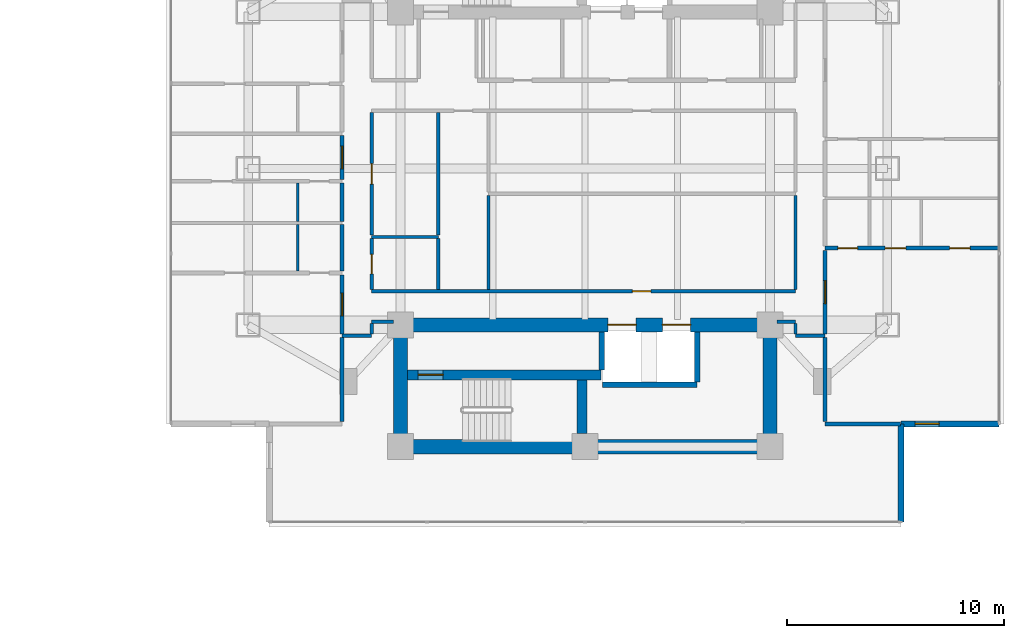
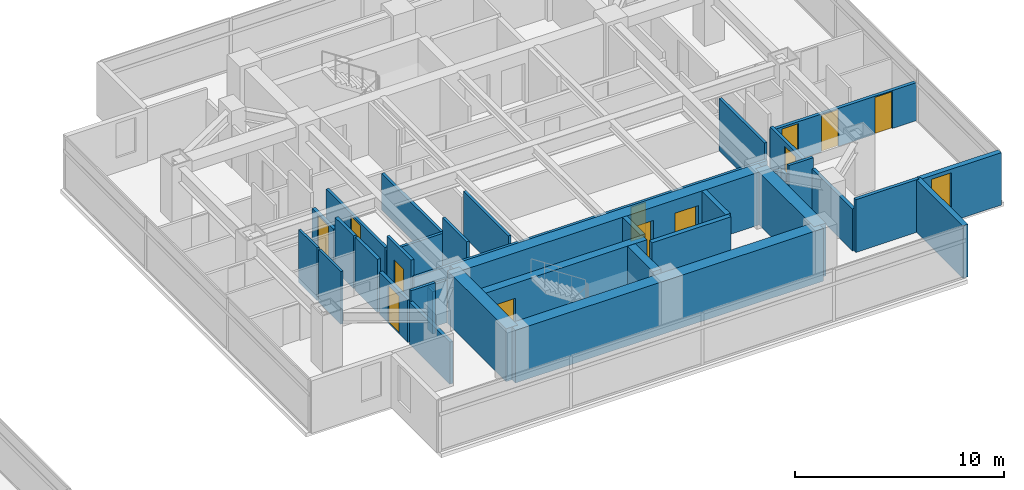
# One storey, part 18 of 26: 36 walls, 12 doors, 1 window, 13 openings.
"""IFC4 building model written with IfcOpenShell, lengths in metres."""

from ifc_helpers import new_model, si_unit, direction, frame, frame_2d, origin, place, context, subcontext, project, spatial, rectangle, extrude, material, layer, layer_set, type_object, element, fill, save


model = new_model("IFC4")

# Units and contexts
model_context = context("Model", 3, precision=1e-05, world=origin(), true_north=direction((0.0, 1.0)))
body_context = subcontext(model_context, "Body", "Model", "MODEL_VIEW")
ifc_project = project(units=[si_unit("LENGTHUNIT", "METRE"), si_unit("AREAUNIT", "SQUARE_METRE"), si_unit("VOLUMEUNIT", "CUBIC_METRE"), si_unit("PLANEANGLEUNIT", "RADIAN"), si_unit("MASSUNIT", "GRAM", prefix="KILO")], contexts=[model_context])

# Site, building, storey
site_placement = place(None, origin())
site = spatial("IfcSite", under=ifc_project, at=site_placement, CompositionType="ELEMENT")
building_placement = place(site_placement, origin())
building = spatial("IfcBuilding", under=site, at=building_placement, Name="Mirazonda Arch Towers", CompositionType="ELEMENT")
storey_placement = place(building_placement, frame((0.0, 0.0, 114.800048828125)))
storey = spatial("IfcBuildingStorey", under=building, at=storey_placement, Name="L32", CompositionType="ELEMENT", Elevation=114.800048828125)

# Wall, opening, door
ifc_material_1 = material(Name="Concrete C50/60", Category="concrete")
ifc_layer_1 = layer(ifc_material_1, 0.449951171875, Name="WALL-CORE-450")
ifc_layer_set_1 = layer_set([ifc_layer_1], Name="Concrete C50/60")
wall_type_1 = type_object("IfcWallType", Name="WALL-CORE-450", PredefinedType="SHEAR", material=ifc_layer_set_1)
wall_1_placement = place(storey_placement, frame((68.320068359375, 18.5, 0.0), z_axis=(0.0, 0.0, 1.0), x_axis=(1.0, 0.0, 0.0)))
wall_1 = element("IfcWall", 1, at=wall_1_placement, inside=storey, type_object=wall_type_1, Name="L32 Stair Core Shear Wall 014", PredefinedType="SHEAR", context=body_context, shape_type="SweptSolid", body=[
    extrude(rectangle(XDim=8.89990234375, YDim=0.449951171875, at=frame_2d((4.449951171875, 0.0))), origin(), (0.0, 0.0, 1.0), 3.079833984375),
])
opening_1_placement = place(wall_1_placement, frame((0.4951171875, 0.0, 0.0)))
opening_1 = element("IfcOpeningElement", 2, at=opening_1_placement, cuts=wall_1, Name="Opening DR-135", PredefinedType="OPENING", context=body_context, shape_type="SweptSolid", body=[
    extrude(rectangle(XDim=1.14990234375, YDim=2.199951171875, at=frame_2d((0.574951171875, 1.10009765625))), frame((0.0, 0.23486328125, 0.0), z_axis=(0.0, -1.0, 0.0), x_axis=(1.0, 0.0, 0.0)), (0.0, 0.0, 1.0), 0.469970703125),
])
ifc_material_2 = material(Name="Architectural Brushed Steel S355", Category="steel")
door_type_1 = type_object("IfcDoorType", Name="DOOR-STAIR-FD90-1150", OperationType="NOTDEFINED", PredefinedType="DOOR", material=ifc_material_2)
door_1_placement = place(opening_1_placement, origin())
door_1 = element("IfcDoor", 3, at=door_1_placement, inside=storey, type_object=door_type_1, Name="L32 East Protected Stair South Door", OperationType="SINGLE_SWING_LEFT", OverallHeight=2.199951171875, OverallWidth=1.14990234375, PredefinedType="DOOR", context=body_context, shape_type="SweptSolid", body=[
    extrude(rectangle(XDim=1.14990234375, YDim=2.199951171875, at=frame_2d((0.574951171875, 1.10009765625))), frame((0.0, 0.02490234375, 0.0), z_axis=(0.0, -1.0, 0.0), x_axis=(1.0, 0.0, 0.0)), (0.0, 0.0, 1.0), 0.050048828125),
])
fill(opening_1, door_1)

# Walls
wall_2_placement = place(storey_placement, frame((76.360107421875, 15.81494140625, 0.0), z_axis=(0.0, 0.0, 1.0), x_axis=(0.0, 1.0, 0.0)))
element("IfcWall", 4, at=wall_2_placement, inside=storey, type_object=wall_type_1, Name="L32 Stair Core Shear Wall 145", PredefinedType="SHEAR", context=body_context, shape_type="SweptSolid", body=[
    extrude(rectangle(XDim=2.449951171875, YDim=0.449951171875, at=frame_2d((1.22509765625, 0.0))), origin(), (0.0, 0.0, 1.0), 3.079833984375),
])
ifc_material_3 = material(Name="Concrete C60/75", Category="concrete")
ifc_layer_2 = layer(ifc_material_3, 0.64990234375, Name="WALL-CORE-650")
ifc_layer_set_2 = layer_set([ifc_layer_2], Name="Concrete C60/75")
wall_type_2 = type_object("IfcWallType", Name="WALL-CORE-650", PredefinedType="SHEAR", material=ifc_layer_set_2)
wall_3_placement = place(storey_placement, frame((68.0, 15.199951171875, 0.0), z_axis=(0.0, 0.0, 1.0), x_axis=(1.0, 0.0, 0.0)))
element("IfcWall", 5, at=wall_3_placement, inside=storey, type_object=wall_type_2, Name="L32 T2S-S Core Shear Wall", PredefinedType="SHEAR", context=body_context, shape_type="SweptSolid", body=[
    extrude(rectangle(XDim=17.0, YDim=0.64990234375, at=frame_2d((8.5, 0.0))), origin(), (0.0, 0.0, 1.0), 3.079833984375),
])
for number, where, z_axis, x_axis, name in (
    (6, (68.0, 15.199951171875, 0.0), (0.0, 0.0, 1.0), (0.0, 1.0, 0.0), "L32 T2S-W Core Shear Wall"),
    (7, (85.0, 15.199951171875, 0.0), (0.0, 0.0, 1.0), (0.0, 1.0, 0.0), "L32 T2S-E Core Shear Wall"),
):
    element("IfcWall", number, at=place(storey_placement, frame(where, z_axis=z_axis, x_axis=x_axis)), inside=storey, type_object=wall_type_2, Name=name, PredefinedType="SHEAR", context=body_context, shape_type="SweptSolid", body=[
        extrude(rectangle(XDim=5.60009765625, YDim=0.64990234375, at=frame_2d((2.800048828125, 0.0))), origin(), (0.0, 0.0, 1.0), 3.079833984375),
    ])

# Wall, openings, doors
wall_4_placement = place(storey_placement, frame((68.0, 20.800048828125, 0.0), z_axis=(0.0, 0.0, 1.0), x_axis=(1.0, 0.0, 0.0)))
wall_4 = element("IfcWall", 8, at=wall_4_placement, inside=storey, type_object=wall_type_2, Name="L32 T2S-N Core Shear Wall", PredefinedType="SHEAR", context=body_context, shape_type="SweptSolid", body=[
    extrude(rectangle(XDim=17.0, YDim=0.64990234375, at=frame_2d((8.5, 0.0))), origin(), (0.0, 0.0, 1.0), 3.079833984375),
])
opening_2_placement = place(wall_4_placement, frame((9.550048828125, 0.0, 0.0)))
opening_2 = element("IfcOpeningElement", 9, at=opening_2_placement, cuts=wall_4, Name="Opening LD-111", PredefinedType="OPENING", context=body_context, shape_type="SweptSolid", body=[
    extrude(rectangle(XDim=1.300048828125, YDim=2.300048828125, at=frame_2d((0.64990234375, 1.14990234375))), frame((0.0, 0.3349609375, 0.0), z_axis=(0.0, -1.0, 0.0), x_axis=(1.0, 0.0, 0.0)), (0.0, 0.0, 1.0), 0.669921875),
])
opening_3_placement = place(wall_4_placement, frame((12.050048828125, 0.0, 0.0)))
opening_3 = element("IfcOpeningElement", 10, at=opening_3_placement, cuts=wall_4, Name="Opening LD-111", PredefinedType="OPENING", context=body_context, shape_type="SweptSolid", body=[
    extrude(rectangle(XDim=1.300048828125, YDim=2.300048828125, at=frame_2d((0.64990234375, 1.14990234375))), frame((0.0, 0.3349609375, 0.0), z_axis=(0.0, -1.0, 0.0), x_axis=(1.0, 0.0, 0.0)), (0.0, 0.0, 1.0), 0.669921875),
])
door_type_2 = type_object("IfcDoorType", Name="DOOR-LIFT-LAND-1300", OperationType="NOTDEFINED", PredefinedType="DOOR", material=ifc_material_2)
door_2_placement = place(opening_2_placement, origin())
door_2 = element("IfcDoor", 11, at=door_2_placement, inside=storey, type_object=door_type_2, Name="L32 Lift Landing Sliding Door PL-T2H1", OperationType="DOUBLE_DOOR_SLIDING", OverallHeight=2.300048828125, OverallWidth=1.300048828125, PredefinedType="DOOR", context=body_context, shape_type="SweptSolid", body=[
    extrude(rectangle(XDim=1.300048828125, YDim=2.300048828125, at=frame_2d((0.64990234375, 1.14990234375))), frame((0.0, 0.02490234375, 0.0), z_axis=(0.0, -1.0, 0.0), x_axis=(1.0, 0.0, 0.0)), (0.0, 0.0, 1.0), 0.050048828125),
])
fill(opening_2, door_2)
door_3_placement = place(opening_3_placement, origin())
door_3 = element("IfcDoor", 12, at=door_3_placement, inside=storey, type_object=door_type_2, Name="L32 Lift Landing Sliding Door PL-T2H2", OperationType="DOUBLE_DOOR_SLIDING", OverallHeight=2.300048828125, OverallWidth=1.300048828125, PredefinedType="DOOR", context=body_context, shape_type="SweptSolid", body=[
    extrude(rectangle(XDim=1.300048828125, YDim=2.300048828125, at=frame_2d((0.64990234375, 1.14990234375))), frame((0.0, 0.02490234375, 0.0), z_axis=(0.0, -1.0, 0.0), x_axis=(1.0, 0.0, 0.0)), (0.0, 0.0, 1.0), 0.050048828125),
])
fill(opening_3, door_3)

# Wall, opening, window
ifc_material_4 = material(Name="Precast Concrete C40/50", Category="concrete")
ifc_layer_3 = layer(ifc_material_4, 0.280029296875, Name="WALL-EXT-WALL-280")
ifc_layer_set_3 = layer_set([ifc_layer_3], Name="Precast Concrete C40/50")
wall_type_3 = type_object("IfcWallType", Name="WALL-EXT-WALL-280", PredefinedType="SOLIDWALL", material=ifc_layer_set_3)
wall_5_placement = place(storey_placement, frame((91.0302734375, 16.25244140625, 0.0), z_axis=(0.0, 0.0, 1.0), x_axis=(1.0, 0.0, 0.0)))
wall_5 = element("IfcWall", 13, at=wall_5_placement, inside=storey, type_object=wall_type_3, Name="L32 T2 Corner Notch Return Wall WL-L32-T2-CSE1", PredefinedType="SOLIDWALL", context=body_context, shape_type="SweptSolid", body=[
    extrude(rectangle(XDim=4.51611328125, YDim=0.280029296875, at=frame_2d((2.258056640625, 0.0))), origin(), (0.0, 0.0, 1.0), 3.06005859375),
])
opening_4_placement = place(wall_5_placement, frame((0.64990234375, 0.0, 0.85009765625)))
opening_4 = element("IfcOpeningElement", 14, at=opening_4_placement, cuts=wall_5, Name="Opening WN-108", PredefinedType="OPENING", context=body_context, shape_type="SweptSolid", body=[
    extrude(rectangle(XDim=1.10009765625, YDim=2.0, at=frame_2d((0.550048828125, 1.0))), frame((0.0, 0.14990234375, 0.0), z_axis=(0.0, -1.0, 0.0), x_axis=(1.0, 0.0, 0.0)), (0.0, 0.0, 1.0), 0.300048828125),
])
ifc_material_5 = material(Name="Insulated Low-E Solar Glass", Category="glass")
window_type = type_object("IfcWindowType", Name="WIN-NOTCH-1100x2000", PartitioningType="SINGLE_PANEL", PredefinedType="WINDOW", material=ifc_material_5)
window_placement = place(opening_4_placement, origin())
window = element("IfcWindow", 15, at=window_placement, inside=storey, type_object=window_type, Name="L32 Punched Facade Window WN-L32-T2-CSE1", OverallHeight=2.0, OverallWidth=1.10009765625, PartitioningType="SINGLE_PANEL", PredefinedType="WINDOW", context=body_context, shape_type="SweptSolid", body=[
    extrude(rectangle(XDim=1.10009765625, YDim=2.0, at=frame_2d((0.550048828125, 1.0))), frame((0.0, 0.030029296875, 0.0), z_axis=(0.0, -1.0, 0.0), x_axis=(1.0, 0.0, 0.0)), (0.0, 0.0, 1.0), 0.06005859375),
])
fill(opening_4, window)

# Walls
wall_6_placement = place(storey_placement, frame((91.0302734375, 11.736083984375, 0.0), z_axis=(0.0, 0.0, 1.0), x_axis=(0.0, 1.0, 0.0)))
element("IfcWall", 16, at=wall_6_placement, inside=storey, type_object=wall_type_3, Name="L32 T2 Corner Notch Return Wall WL-L32-T2-CSE2", PredefinedType="SOLIDWALL", context=body_context, shape_type="SweptSolid", body=[
    extrude(rectangle(XDim=4.516357421875, YDim=0.280029296875, at=frame_2d((2.25830078125, 0.0))), origin(), (0.0, 0.0, 1.0), 3.06005859375),
])
ifc_material_6 = material(Name="Fire-Rated Gypsum Stud Partition")
ifc_layer_4 = layer(ifc_material_6, 0.14990234375, Name="WALL-PART-CORR-150")
ifc_layer_set_4 = layer_set([ifc_layer_4], Name="Fire-Rated Gypsum Stud Partition")
wall_type_4 = type_object("IfcWallType", Name="WALL-PART-CORR-150", PredefinedType="PARTITIONING", material=ifc_layer_set_4)
wall_7_placement = place(storey_placement, frame((65.320068359375, 20.300048828125, 0.0), z_axis=(0.0, 0.0, 1.0), x_axis=(1.0, 0.0, 0.0)))
element("IfcWall", 17, at=wall_7_placement, inside=storey, type_object=wall_type_4, Name="L32 Interior Partition 018", PredefinedType="PARTITIONING", context=body_context, shape_type="SweptSolid", body=[
    extrude(rectangle(XDim=1.35986328125, YDim=0.14990234375, at=frame_2d((0.679931640625, 0.0))), origin(), (0.0, 0.0, 1.0), 3.079833984375),
])
wall_8_placement = place(storey_placement, frame((86.179931640625, 20.300048828125, 0.0), z_axis=(0.0, 0.0, 1.0), x_axis=(1.0, 0.0, 0.0)))
element("IfcWall", 18, at=wall_8_placement, inside=storey, type_object=wall_type_4, Name="L32 Interior Partition 019", PredefinedType="PARTITIONING", context=body_context, shape_type="SweptSolid", body=[
    extrude(rectangle(XDim=1.360107421875, YDim=0.14990234375, at=frame_2d((0.68017578125, 0.0))), origin(), (0.0, 0.0, 1.0), 3.079833984375),
])
wall_9_placement = place(storey_placement, frame((66.679931640625, 20.949951171875, 0.0), z_axis=(0.0, 0.0, 1.0), x_axis=(1.0, 0.0, 0.0)))
element("IfcWall", 19, at=wall_9_placement, inside=storey, type_object=wall_type_4, Name="L32 Interior Partition 020", PredefinedType="PARTITIONING", context=body_context, shape_type="SweptSolid", body=[
    extrude(rectangle(XDim=1.0, YDim=0.14990234375, at=frame_2d((0.5, 0.0))), origin(), (0.0, 0.0, 1.0), 2.471923828125),
])
wall_10_placement = place(storey_placement, frame((85.320068359375, 20.949951171875, 0.0), z_axis=(0.0, 0.0, 1.0), x_axis=(1.0, 0.0, 0.0)))
element("IfcWall", 20, at=wall_10_placement, inside=storey, type_object=wall_type_4, Name="L32 Interior Partition 021", PredefinedType="PARTITIONING", context=body_context, shape_type="SweptSolid", body=[
    extrude(rectangle(XDim=0.85986328125, YDim=0.14990234375, at=frame_2d((0.429931640625, 0.0))), origin(), (0.0, 0.0, 1.0), 2.471923828125),
])

# Wall, opening, door
wall_11_placement = place(storey_placement, frame((66.679931640625, 22.35009765625, 0.0), z_axis=(0.0, 0.0, 1.0), x_axis=(1.0, 0.0, 0.0)))
wall_11 = element("IfcWall", 21, at=wall_11_placement, inside=storey, type_object=wall_type_4, Name="L32 Interior Partition 023", PredefinedType="PARTITIONING", context=body_context, shape_type="SweptSolid", body=[
    extrude(rectangle(XDim=19.5, YDim=0.14990234375, at=frame_2d((9.75, 0.0))), origin(), (0.0, 0.0, 1.0), 2.14501953125),
])
opening_5_placement = place(wall_11_placement, frame((11.989990234375, 0.0, 0.0)))
opening_5 = element("IfcOpeningElement", 22, at=opening_5_placement, cuts=wall_11, Name="Opening DR-128", PredefinedType="OPENING", context=body_context, shape_type="SweptSolid", body=[
    extrude(rectangle(XDim=0.85009765625, YDim=2.010009765625, at=frame_2d((0.425048828125, 1.0048828125))), frame((0.0, 0.0849609375, 0.0), z_axis=(0.0, -1.0, 0.0), x_axis=(1.0, 0.0, 0.0)), (0.0, 0.0, 1.0), 0.169921875),
])
door_type_3 = type_object("IfcDoorType", Name="DOOR-RISER-FD60-850", OperationType="NOTDEFINED", PredefinedType="DOOR", material=ifc_material_2)
door_4_placement = place(opening_5_placement, origin())
door_4 = element("IfcDoor", 23, at=door_4_placement, inside=storey, type_object=door_type_3, Name="L32 Chamber Music & Screening Salon Door", OperationType="SINGLE_SWING_LEFT", OverallHeight=2.010009765625, OverallWidth=0.85009765625, PredefinedType="DOOR", context=body_context, shape_type="SweptSolid", body=[
    extrude(rectangle(XDim=0.85009765625, YDim=2.010009765625, at=frame_2d((0.425048828125, 1.0048828125))), frame((0.0, 0.02490234375, 0.0), z_axis=(0.0, -1.0, 0.0), x_axis=(1.0, 0.0, 0.0)), (0.0, 0.0, 1.0), 0.050048828125),
])
fill(opening_5, door_4)

# Walls
wall_12_placement = place(storey_placement, frame((66.679931640625, 24.85009765625, 0.0), z_axis=(0.0, 0.0, 1.0), x_axis=(1.0, 0.0, 0.0)))
element("IfcWall", 24, at=wall_12_placement, inside=storey, type_object=wall_type_4, Name="L32 Interior Partition 028", PredefinedType="PARTITIONING", context=body_context, shape_type="SweptSolid", body=[
    extrude(rectangle(XDim=3.070068359375, YDim=0.14990234375, at=frame_2d((1.53515625, 0.0))), origin(), (0.0, 0.0, 1.0), 2.14501953125),
])
wall_13_placement = place(storey_placement, frame((66.679931640625, 20.385009765625, 0.0), z_axis=(0.0, 0.0, 1.0), x_axis=(0.0, 1.0, 0.0)))
element("IfcWall", 25, at=wall_13_placement, inside=storey, type_object=wall_type_4, Name="L32 Interior Partition 133", PredefinedType="PARTITIONING", context=body_context, shape_type="SweptSolid", body=[
    extrude(rectangle(XDim=0.47998046875, YDim=0.14990234375, at=frame_2d((0.239990234375, 0.0))), origin(), (0.0, 0.0, 1.0), 2.471923828125),
])

# Wall, opening, door
wall_14_placement = place(storey_placement, frame((66.679931640625, 22.43505859375, 0.0), z_axis=(0.0, 0.0, 1.0), x_axis=(0.0, 1.0, 0.0)))
wall_14 = element("IfcWall", 26, at=wall_14_placement, inside=storey, type_object=wall_type_4, Name="L32 Interior Partition 134", PredefinedType="PARTITIONING", context=body_context, shape_type="SweptSolid", body=[
    extrude(rectangle(XDim=2.329833984375, YDim=0.14990234375, at=frame_2d((1.1650390625, 0.0))), origin(), (0.0, 0.0, 1.0), 3.079833984375),
])
opening_6_placement = place(wall_14_placement, frame((0.715087890625, 0.0, 0.0)))
opening_6 = element("IfcOpeningElement", 27, at=opening_6_placement, cuts=wall_14, Name="Opening DR-120", PredefinedType="OPENING", context=body_context, shape_type="SweptSolid", body=[
    extrude(rectangle(XDim=0.89990234375, YDim=2.10009765625, at=frame_2d((0.449951171875, 1.050048828125))), frame((0.0, 0.0849609375, 0.0), z_axis=(0.0, -1.0, 0.0), x_axis=(1.0, 0.0, 0.0)), (0.0, 0.0, 1.0), 0.169921875),
])
door_type_4 = type_object("IfcDoorType", Name="DOOR-WC-900", OperationType="NOTDEFINED", PredefinedType="DOOR", material=ifc_material_2)
door_5_placement = place(opening_6_placement, origin())
door_5 = element("IfcDoor", 28, at=door_5_placement, inside=storey, type_object=door_type_4, Name="L32 Tower 2 Common Accessible WC Door", OperationType="SINGLE_SWING_RIGHT", OverallHeight=2.10009765625, OverallWidth=0.89990234375, PredefinedType="DOOR", context=body_context, shape_type="SweptSolid", body=[
    extrude(rectangle(XDim=0.89990234375, YDim=2.10009765625, at=frame_2d((0.449951171875, 1.050048828125))), frame((0.0, 0.02490234375, 0.0), z_axis=(0.0, -1.0, 0.0), x_axis=(1.0, 0.0, 0.0)), (0.0, 0.0, 1.0), 0.050048828125),
])
fill(opening_6, door_5)

wall_15_placement = place(storey_placement, frame((66.679931640625, 24.93505859375, 0.0), z_axis=(0.0, 0.0, 1.0), x_axis=(0.0, 1.0, 0.0)))
wall_15 = element("IfcWall", 29, at=wall_15_placement, inside=storey, type_object=wall_type_4, Name="L32 Interior Partition 135", PredefinedType="PARTITIONING", context=body_context, shape_type="SweptSolid", body=[
    extrude(rectangle(XDim=5.6298828125, YDim=0.14990234375, at=frame_2d((2.81494140625, 0.0))), origin(), (0.0, 0.0, 1.0), 2.299072265625),
])
opening_7_placement = place(wall_15_placement, frame((2.340087890625, 0.0, 0.0)))
opening_7 = element("IfcOpeningElement", 30, at=opening_7_placement, cuts=wall_15, Name="Opening DR-104", PredefinedType="OPENING", context=body_context, shape_type="SweptSolid", body=[
    extrude(rectangle(XDim=0.949951171875, YDim=2.14990234375, at=frame_2d((0.47509765625, 1.074951171875))), frame((0.0, 0.0849609375, 0.0), z_axis=(0.0, -1.0, 0.0), x_axis=(1.0, 0.0, 0.0)), (0.0, 0.0, 1.0), 0.169921875),
])
door_type_5 = type_object("IfcDoorType", Name="DOOR-ROOM-950", OperationType="NOTDEFINED", PredefinedType="DOOR", material=ifc_material_2)
door_6_placement = place(opening_7_placement, origin())
door_6 = element("IfcDoor", 31, at=door_6_placement, inside=storey, type_object=door_type_5, Name="L32 L32 East Courtyard Reading Study Door", OperationType="SINGLE_SWING_LEFT", OverallHeight=2.14990234375, OverallWidth=0.949951171875, PredefinedType="DOOR", context=body_context, shape_type="SweptSolid", body=[
    extrude(rectangle(XDim=0.949951171875, YDim=2.14990234375, at=frame_2d((0.47509765625, 1.074951171875))), frame((0.0, 0.02490234375, 0.0), z_axis=(0.0, -1.0, 0.0), x_axis=(1.0, 0.0, 0.0)), (0.0, 0.0, 1.0), 0.050048828125),
])
fill(opening_7, door_6)

# Walls
wall_16_placement = place(storey_placement, frame((69.743408203125, 22.43505859375, 0.0), z_axis=(0.0, 0.0, 1.0), x_axis=(0.0, 1.0, 0.0)))
element("IfcWall", 32, at=wall_16_placement, inside=storey, type_object=wall_type_4, Name="L32 Interior Partition 138", PredefinedType="PARTITIONING", context=body_context, shape_type="SweptSolid", body=[
    extrude(rectangle(XDim=2.329833984375, YDim=0.14990234375, at=frame_2d((1.1650390625, 0.0))), origin(), (0.0, 0.0, 1.0), 3.079833984375),
])
wall_17_placement = place(storey_placement, frame((69.743408203125, 24.93505859375, 0.0), z_axis=(0.0, 0.0, 1.0), x_axis=(0.0, 1.0, 0.0)))
element("IfcWall", 33, at=wall_17_placement, inside=storey, type_object=wall_type_4, Name="L32 Interior Partition 139", PredefinedType="PARTITIONING", context=body_context, shape_type="SweptSolid", body=[
    extrude(rectangle(XDim=5.6298828125, YDim=0.14990234375, at=frame_2d((2.81494140625, 0.0))), origin(), (0.0, 0.0, 1.0), 2.14501953125),
])
wall_18_placement = place(storey_placement, frame((72.050048828125, 22.43505859375, 0.0), z_axis=(0.0, 0.0, 1.0), x_axis=(0.0, 1.0, 0.0)))
element("IfcWall", 34, at=wall_18_placement, inside=storey, type_object=wall_type_4, Name="L32 Interior Partition 142", PredefinedType="PARTITIONING", context=body_context, shape_type="SweptSolid", body=[
    extrude(rectangle(XDim=4.31201171875, YDim=0.14990234375, at=frame_2d((2.156005859375, 0.0))), origin(), (0.0, 0.0, 1.0), 2.60888671875),
])
wall_19_placement = place(storey_placement, frame((86.179931640625, 20.385009765625, 0.0), z_axis=(0.0, 0.0, 1.0), x_axis=(0.0, 1.0, 0.0)))
element("IfcWall", 35, at=wall_19_placement, inside=storey, type_object=wall_type_4, Name="L32 Interior Partition 153", PredefinedType="PARTITIONING", context=body_context, shape_type="SweptSolid", body=[
    extrude(rectangle(XDim=0.47998046875, YDim=0.14990234375, at=frame_2d((0.239990234375, 0.0))), origin(), (0.0, 0.0, 1.0), 2.471923828125),
])
wall_20_placement = place(storey_placement, frame((86.179931640625, 22.43505859375, 0.0), z_axis=(0.0, 0.0, 1.0), x_axis=(0.0, 1.0, 0.0)))
element("IfcWall", 36, at=wall_20_placement, inside=storey, type_object=wall_type_4, Name="L32 Interior Partition 154", PredefinedType="PARTITIONING", context=body_context, shape_type="SweptSolid", body=[
    extrude(rectangle(XDim=4.31201171875, YDim=0.14990234375, at=frame_2d((2.156005859375, 0.0))), origin(), (0.0, 0.0, 1.0), 3.079833984375),
])
ifc_material_7 = material(Name="Fire-Rated Gypsum Twin-Stud Assembly")
ifc_layer_5 = layer(ifc_material_7, 0.179931640625, Name="WALL-PART-DEMISE-180")
ifc_layer_set_5 = layer_set([ifc_layer_5], Name="Fire-Rated Gypsum Twin-Stud Assembly")
wall_type_5 = type_object("IfcWallType", Name="WALL-PART-DEMISE-180", PredefinedType="PARTITIONING", material=ifc_layer_set_5)
wall_21_placement = place(storey_placement, frame((87.5400390625, 16.251953125, 0.0), z_axis=(0.0, 0.0, 1.0), x_axis=(1.0, 0.0, 0.0)))
element("IfcWall", 37, at=wall_21_placement, inside=storey, type_object=wall_type_5, Name="L32 Interior Partition 010", PredefinedType="PARTITIONING", context=body_context, shape_type="SweptSolid", body=[
    extrude(rectangle(XDim=3.47021484375, YDim=0.179931640625, at=frame_2d((1.735107421875, 0.0))), origin(), (0.0, 0.0, 1.0), 3.079833984375),
])

# Wall, openings, doors
wall_22_placement = place(storey_placement, frame((87.5400390625, 24.33203125, 0.0), z_axis=(0.0, 0.0, 1.0), x_axis=(1.0, 0.0, 0.0)))
wall_22 = element("IfcWall", 38, at=wall_22_placement, inside=storey, type_object=wall_type_5, Name="L32 Interior Partition 027", PredefinedType="PARTITIONING", context=body_context, shape_type="SweptSolid", body=[
    extrude(rectangle(XDim=8.005859375, YDim=0.179931640625, at=frame_2d((4.0029296875, 0.0))), origin(), (0.0, 0.0, 1.0), 2.216064453125),
])
opening_8_placement = place(wall_22_placement, frame((5.720947265625, 0.0, 0.0)))
opening_8 = element("IfcOpeningElement", 39, at=opening_8_placement, cuts=wall_22, Name="Opening DR-104", PredefinedType="OPENING", context=body_context, shape_type="SweptSolid", body=[
    extrude(rectangle(XDim=0.949951171875, YDim=2.14990234375, at=frame_2d((0.47509765625, 1.074951171875))), frame((0.0, 0.099853515625, 0.0), z_axis=(0.0, -1.0, 0.0), x_axis=(1.0, 0.0, 0.0)), (0.0, 0.0, 1.0), 0.199951171875),
])
opening_9_placement = place(wall_22_placement, frame((2.758056640625, 0.0, 0.0)))
opening_9 = element("IfcOpeningElement", 40, at=opening_9_placement, cuts=wall_22, Name="Opening DR-104", PredefinedType="OPENING", context=body_context, shape_type="SweptSolid", body=[
    extrude(rectangle(XDim=0.949951171875, YDim=2.14990234375, at=frame_2d((0.47509765625, 1.074951171875))), frame((0.0, 0.099853515625, 0.0), z_axis=(0.0, -1.0, 0.0), x_axis=(1.0, 0.0, 0.0)), (0.0, 0.0, 1.0), 0.199951171875),
])
opening_10_placement = place(wall_22_placement, frame((0.590087890625, 0.0, 0.0)))
opening_10 = element("IfcOpeningElement", 41, at=opening_10_placement, cuts=wall_22, Name="Opening DR-120", PredefinedType="OPENING", context=body_context, shape_type="SweptSolid", body=[
    extrude(rectangle(XDim=0.89990234375, YDim=2.10009765625, at=frame_2d((0.449951171875, 1.050048828125))), frame((0.0, 0.099853515625, 0.0), z_axis=(0.0, -1.0, 0.0), x_axis=(1.0, 0.0, 0.0)), (0.0, 0.0, 1.0), 0.199951171875),
])
door_7_placement = place(opening_8_placement, origin())
door_7 = element("IfcDoor", 42, at=door_7_placement, inside=storey, type_object=door_type_5, Name="L32 Residence 1 Principal Bedroom Door", OperationType="SINGLE_SWING_LEFT", OverallHeight=2.14990234375, OverallWidth=0.949951171875, PredefinedType="DOOR", context=body_context, shape_type="SweptSolid", body=[
    extrude(rectangle(XDim=0.949951171875, YDim=2.14990234375, at=frame_2d((0.47509765625, 1.074951171875))), frame((0.0, 0.02490234375, 0.0), z_axis=(0.0, -1.0, 0.0), x_axis=(1.0, 0.0, 0.0)), (0.0, 0.0, 1.0), 0.050048828125),
])
fill(opening_8, door_7)
door_8_placement = place(opening_9_placement, origin())
door_8 = element("IfcDoor", 43, at=door_8_placement, inside=storey, type_object=door_type_5, Name="L32 Residence 1 Fitted Kitchen Door", OperationType="SINGLE_SWING_RIGHT", OverallHeight=2.14990234375, OverallWidth=0.949951171875, PredefinedType="DOOR", context=body_context, shape_type="SweptSolid", body=[
    extrude(rectangle(XDim=0.949951171875, YDim=2.14990234375, at=frame_2d((0.47509765625, 1.074951171875))), frame((0.0, 0.02490234375, 0.0), z_axis=(0.0, -1.0, 0.0), x_axis=(1.0, 0.0, 0.0)), (0.0, 0.0, 1.0), 0.050048828125),
])
fill(opening_9, door_8)
door_9_placement = place(opening_10_placement, origin())
door_9 = element("IfcDoor", 44, at=door_9_placement, inside=storey, type_object=door_type_4, Name="L32 Residence 1 Bathroom Door", OperationType="SINGLE_SWING_LEFT", OverallHeight=2.10009765625, OverallWidth=0.89990234375, PredefinedType="DOOR", context=body_context, shape_type="SweptSolid", body=[
    extrude(rectangle(XDim=0.89990234375, YDim=2.10009765625, at=frame_2d((0.449951171875, 1.050048828125))), frame((0.0, 0.02490234375, 0.0), z_axis=(0.0, -1.0, 0.0), x_axis=(1.0, 0.0, 0.0)), (0.0, 0.0, 1.0), 0.050048828125),
])
fill(opening_10, door_9)

# Wall
wall_23_placement = place(storey_placement, frame((65.320068359375, 16.35205078125, 0.0), z_axis=(0.0, 0.0, 1.0), x_axis=(0.0, 1.0, 0.0)))
element("IfcWall", 45, at=wall_23_placement, inside=storey, type_object=wall_type_5, Name="L32 Interior Partition 125", PredefinedType="PARTITIONING", context=body_context, shape_type="SweptSolid", body=[
    extrude(rectangle(XDim=3.863037109375, YDim=0.179931640625, at=frame_2d((1.931640625, 0.0))), origin(), (0.0, 0.0, 1.0), 2.4560546875),
])

# Wall, opening, door
wall_24_placement = place(storey_placement, frame((65.320068359375, 20.385009765625, 0.0), z_axis=(0.0, 0.0, 1.0), x_axis=(0.0, 1.0, 0.0)))
wall_24 = element("IfcWall", 46, at=wall_24_placement, inside=storey, type_object=wall_type_5, Name="L32 Interior Partition 126", PredefinedType="PARTITIONING", context=body_context, shape_type="SweptSolid", body=[
    extrude(rectangle(XDim=2.70703125, YDim=0.179931640625, at=frame_2d((1.353515625, 0.0))), origin(), (0.0, 0.0, 1.0), 2.471923828125),
])
opening_11_placement = place(wall_24_placement, frame((0.82861328125, 0.0, 0.0)))
opening_11 = element("IfcOpeningElement", 47, at=opening_11_placement, cuts=wall_24, Name="Opening DR-121", PredefinedType="OPENING", context=body_context, shape_type="SweptSolid", body=[
    extrude(rectangle(XDim=1.050048828125, YDim=2.199951171875, at=frame_2d((0.52490234375, 1.10009765625))), frame((0.0, 0.099853515625, 0.0), z_axis=(0.0, -1.0, 0.0), x_axis=(1.0, 0.0, 0.0)), (0.0, 0.0, 1.0), 0.199951171875),
])
door_type_6 = type_object("IfcDoorType", Name="DOOR-SUITE-FD60-1050", OperationType="NOTDEFINED", PredefinedType="DOOR", material=ifc_material_2)
door_10_placement = place(opening_11_placement, origin())
door_10 = element("IfcDoor", 48, at=door_10_placement, inside=storey, type_object=door_type_6, Name="L32 Studio Apartment 1 Living Salon Door", OperationType="SINGLE_SWING_LEFT", OverallHeight=2.199951171875, OverallWidth=1.050048828125, PredefinedType="DOOR", context=body_context, shape_type="SweptSolid", body=[
    extrude(rectangle(XDim=1.050048828125, YDim=2.199951171875, at=frame_2d((0.52490234375, 1.10009765625))), frame((0.0, 0.02490234375, 0.0), z_axis=(0.0, -1.0, 0.0), x_axis=(1.0, 0.0, 0.0)), (0.0, 0.0, 1.0), 0.050048828125),
])
fill(opening_11, door_10)

# Walls
wall_25_placement = place(storey_placement, frame((65.320068359375, 23.2919921875, 0.0), z_axis=(0.0, 0.0, 1.0), x_axis=(0.0, 1.0, 0.0)))
element("IfcWall", 49, at=wall_25_placement, inside=storey, type_object=wall_type_5, Name="L32 Interior Partition 127", PredefinedType="PARTITIONING", context=body_context, shape_type="SweptSolid", body=[
    extrude(rectangle(XDim=2.12744140625, YDim=0.179931640625, at=frame_2d((1.063720703125, 0.0))), origin(), (0.0, 0.0, 1.0), 3.079833984375),
])
wall_26_placement = place(storey_placement, frame((65.320068359375, 25.564453125, 0.0), z_axis=(0.0, 0.0, 1.0), x_axis=(0.0, 1.0, 0.0)))
element("IfcWall", 50, at=wall_26_placement, inside=storey, type_object=wall_type_5, Name="L32 Interior Partition 128", PredefinedType="PARTITIONING", context=body_context, shape_type="SweptSolid", body=[
    extrude(rectangle(XDim=1.762451171875, YDim=0.179931640625, at=frame_2d((0.88134765625, 0.0))), origin(), (0.0, 0.0, 1.0), 3.079833984375),
])

# Wall, opening, door
wall_27_placement = place(storey_placement, frame((65.320068359375, 27.4970703125, 0.0), z_axis=(0.0, 0.0, 1.0), x_axis=(0.0, 1.0, 0.0)))
wall_27 = element("IfcWall", 51, at=wall_27_placement, inside=storey, type_object=wall_type_5, Name="L32 Interior Partition 129", PredefinedType="PARTITIONING", context=body_context, shape_type="SweptSolid", body=[
    extrude(rectangle(XDim=2.013916015625, YDim=0.179931640625, at=frame_2d((1.0068359375, 0.0))), origin(), (0.0, 0.0, 1.0), 2.299072265625),
])
opening_12_placement = place(wall_27_placement, frame((0.48193359375, 0.0, 0.0)))
opening_12 = element("IfcOpeningElement", 52, at=opening_12_placement, cuts=wall_27, Name="Opening DR-121", PredefinedType="OPENING", context=body_context, shape_type="SweptSolid", body=[
    extrude(rectangle(XDim=1.050048828125, YDim=2.199951171875, at=frame_2d((0.52490234375, 1.10009765625))), frame((0.0, 0.099853515625, 0.0), z_axis=(0.0, -1.0, 0.0), x_axis=(1.0, 0.0, 0.0)), (0.0, 0.0, 1.0), 0.199951171875),
])
door_11_placement = place(opening_12_placement, origin())
door_11 = element("IfcDoor", 53, at=door_11_placement, inside=storey, type_object=door_type_6, Name="L32 Studio Apartment 2 Living Salon Door", OperationType="SINGLE_SWING_RIGHT", OverallHeight=2.199951171875, OverallWidth=1.050048828125, PredefinedType="DOOR", context=body_context, shape_type="SweptSolid", body=[
    extrude(rectangle(XDim=1.050048828125, YDim=2.199951171875, at=frame_2d((0.52490234375, 1.10009765625))), frame((0.0, 0.02490234375, 0.0), z_axis=(0.0, -1.0, 0.0), x_axis=(1.0, 0.0, 0.0)), (0.0, 0.0, 1.0), 0.050048828125),
])
fill(opening_12, door_11)

# Wall
wall_28_placement = place(storey_placement, frame((87.5400390625, 16.35205078125, 0.0), z_axis=(0.0, 0.0, 1.0), x_axis=(0.0, 1.0, 0.0)))
element("IfcWall", 54, at=wall_28_placement, inside=storey, type_object=wall_type_5, Name="L32 Interior Partition 157", PredefinedType="PARTITIONING", context=body_context, shape_type="SweptSolid", body=[
    extrude(rectangle(XDim=3.863037109375, YDim=0.179931640625, at=frame_2d((1.931640625, 0.0))), origin(), (0.0, 0.0, 1.0), 2.4560546875),
])

# Wall, opening, door
wall_29_placement = place(storey_placement, frame((87.5400390625, 20.385009765625, 0.0), z_axis=(0.0, 0.0, 1.0), x_axis=(0.0, 1.0, 0.0)))
wall_29 = element("IfcWall", 55, at=wall_29_placement, inside=storey, type_object=wall_type_5, Name="L32 Interior Partition 158", PredefinedType="PARTITIONING", context=body_context, shape_type="SweptSolid", body=[
    extrude(rectangle(XDim=3.846923828125, YDim=0.179931640625, at=frame_2d((1.92333984375, 0.0))), origin(), (0.0, 0.0, 1.0), 2.471923828125),
])
opening_13_placement = place(wall_29_placement, frame((1.3984375, 0.0, 0.0)))
opening_13 = element("IfcOpeningElement", 56, at=opening_13_placement, cuts=wall_29, Name="Opening DR-121", PredefinedType="OPENING", context=body_context, shape_type="SweptSolid", body=[
    extrude(rectangle(XDim=1.050048828125, YDim=2.199951171875, at=frame_2d((0.52490234375, 1.10009765625))), frame((0.0, 0.099853515625, 0.0), z_axis=(0.0, -1.0, 0.0), x_axis=(1.0, 0.0, 0.0)), (0.0, 0.0, 1.0), 0.199951171875),
])
door_12_placement = place(opening_13_placement, origin())
door_12 = element("IfcDoor", 57, at=door_12_placement, inside=storey, type_object=door_type_6, Name="L32 Residence 1 Living & Dining Salon Door", OperationType="SINGLE_SWING_RIGHT", OverallHeight=2.199951171875, OverallWidth=1.050048828125, PredefinedType="DOOR", context=body_context, shape_type="SweptSolid", body=[
    extrude(rectangle(XDim=1.050048828125, YDim=2.199951171875, at=frame_2d((0.52490234375, 1.10009765625))), frame((0.0, 0.02490234375, 0.0), z_axis=(0.0, -1.0, 0.0), x_axis=(1.0, 0.0, 0.0)), (0.0, 0.0, 1.0), 0.050048828125),
])
fill(opening_13, door_12)

# Walls
ifc_material_8 = material(Name="Acoustic Fire-Rated Gypsum Partition")
ifc_layer_6 = layer(ifc_material_8, 0.125, Name="WALL-PART-UNIT-125")
ifc_layer_set_6 = layer_set([ifc_layer_6], Name="Acoustic Fire-Rated Gypsum Partition")
wall_type_6 = type_object("IfcWallType", Name="WALL-PART-UNIT-125", PredefinedType="PARTITIONING", material=ifc_layer_set_6)
wall_30_placement = place(storey_placement, frame((63.280029296875, 23.2919921875, 0.0), z_axis=(0.0, 0.0, 1.0), x_axis=(0.0, 1.0, 0.0)))
element("IfcWall", 58, at=wall_30_placement, inside=storey, type_object=wall_type_6, Name="L32 Interior Partition 122", PredefinedType="PARTITIONING", context=body_context, shape_type="SweptSolid", body=[
    extrude(rectangle(XDim=2.12744140625, YDim=0.125, at=frame_2d((1.063720703125, 0.0))), origin(), (0.0, 0.0, 1.0), 3.079833984375),
])
wall_31_placement = place(storey_placement, frame((63.280029296875, 25.564453125, 0.0), z_axis=(0.0, 0.0, 1.0), x_axis=(0.0, 1.0, 0.0)))
element("IfcWall", 59, at=wall_31_placement, inside=storey, type_object=wall_type_6, Name="L32 Interior Partition 123", PredefinedType="PARTITIONING", context=body_context, shape_type="SweptSolid", body=[
    extrude(rectangle(XDim=1.762451171875, YDim=0.125, at=frame_2d((0.88134765625, 0.0))), origin(), (0.0, 0.0, 1.0), 3.079833984375),
])
ifc_material_9 = material(Name="Concrete C40/50", Category="concrete")
ifc_layer_7 = layer(ifc_material_9, 0.25, Name="WALL-SHAFT-250")
ifc_layer_set_7 = layer_set([ifc_layer_7], Name="Concrete C40/50")
wall_type_7 = type_object("IfcWallType", Name="WALL-SHAFT-250", PredefinedType="SOLIDWALL", material=ifc_layer_set_7)
wall_32_placement = place(storey_placement, frame((77.300048828125, 18.050048828125, 0.0), z_axis=(0.0, 0.0, 1.0), x_axis=(1.0, 0.0, 0.0)))
element("IfcWall", 60, at=wall_32_placement, inside=storey, type_object=wall_type_7, Name="L32 Interior Partition 011", PredefinedType="SOLIDWALL", context=body_context, shape_type="SweptSolid", body=[
    extrude(rectangle(XDim=4.349853515625, YDim=0.25, at=frame_2d((2.1748046875, 0.0))), origin(), (0.0, 0.0, 1.0), 3.079833984375),
])
wall_33_placement = place(storey_placement, frame((77.260009765625, 18.735107421875, 0.0), z_axis=(0.0, 0.0, 1.0), x_axis=(0.0, 1.0, 0.0)))
element("IfcWall", 61, at=wall_33_placement, inside=storey, type_object=wall_type_7, Name="L32 Interior Partition 147", PredefinedType="SOLIDWALL", context=body_context, shape_type="SweptSolid", body=[
    extrude(rectangle(XDim=1.744873046875, YDim=0.25, at=frame_2d((0.87255859375, 0.0))), origin(), (0.0, 0.0, 1.0), 3.079833984375),
])
wall_34_placement = place(storey_placement, frame((81.64990234375, 18.18505859375, 0.0), z_axis=(0.0, 0.0, 1.0), x_axis=(0.0, 1.0, 0.0)))
element("IfcWall", 62, at=wall_34_placement, inside=storey, type_object=wall_type_7, Name="L32 Interior Partition 151", PredefinedType="SOLIDWALL", context=body_context, shape_type="SweptSolid", body=[
    extrude(rectangle(XDim=2.294921875, YDim=0.25, at=frame_2d((1.1474609375, 0.0))), origin(), (0.0, 0.0, 1.0), 3.079833984375),
])

save(model, "model.ifc")
